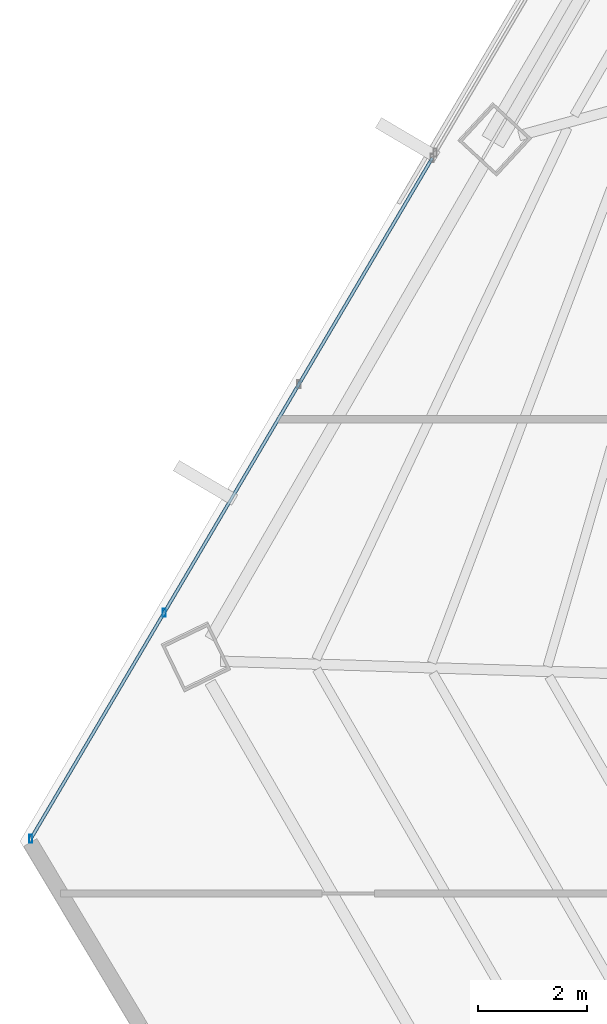
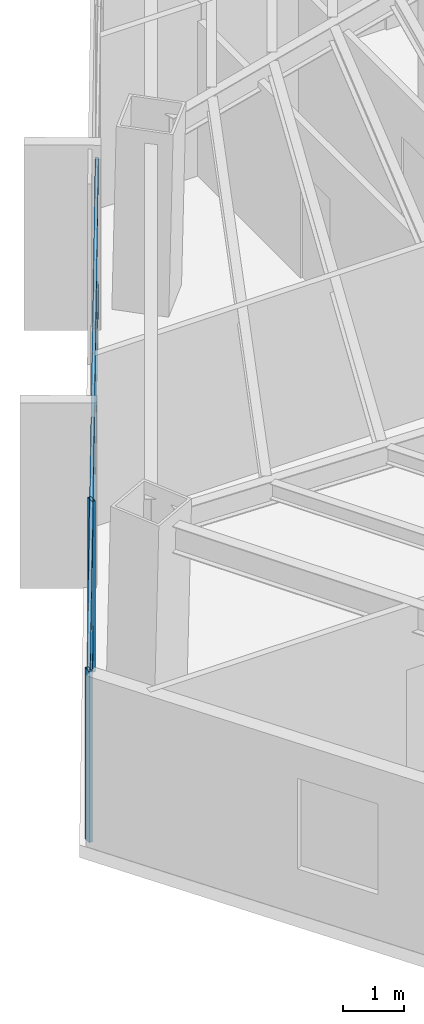
# One storey, part 6 of 41: 4 members, 1 element without a shape of its own.
"""IFC4 building model written with IfcOpenShell, lengths in metres."""

from ifc_helpers import new_model, si_unit, direction, frame, origin, origin_2d, place, context, subcontext, project, spatial, hollow_rectangle, extrude, source, transform, mapped, material, material_profile, profile_set, type_object, type_shapes, element, aggregate, save


model = new_model("IFC4")

# Units and contexts
model_context = context("Model", 3, precision=1e-05, world=origin(), true_north=direction((0.0, 1.0)))
body_context = subcontext(model_context, "Body", "Model", "MODEL_VIEW")
ifc_project = project(units=[si_unit("LENGTHUNIT", "METRE"), si_unit("AREAUNIT", "SQUARE_METRE"), si_unit("VOLUMEUNIT", "CUBIC_METRE"), si_unit("PLANEANGLEUNIT", "RADIAN"), si_unit("MASSUNIT", "GRAM", prefix="KILO")], contexts=[model_context])

# Site, building, storey
site_placement = place(None, origin())
site = spatial("IfcSite", under=ifc_project, at=site_placement, CompositionType="ELEMENT")
building_placement = place(site_placement, origin())
building = spatial("IfcBuilding", under=site, at=building_placement, Name="Caelisora Broadcast Tower", CompositionType="ELEMENT")
storey_placement = place(building_placement, frame((0.0, 0.0, 165.800048828125)))
storey = spatial("IfcBuildingStorey", under=building, at=storey_placement, Name="L43", CompositionType="ELEMENT", Elevation=165.800048828125)

# Curtain wall, members
ifc_material_1 = material(Name="Unitised Aluminium and Low-E Glass Curtain Wall", Category="glass")
curtain_wall_type = type_object("IfcCurtainWallType", Name="CW-Z3", PredefinedType="NOTDEFINED", material=ifc_material_1)
curtain_wall_placement = place(storey_placement, origin())
curtain_wall = element("IfcCurtainWall", 1, at=curtain_wall_placement, inside=storey, type_object=curtain_wall_type, Name="L43 curtain wall CW-Z3", PredefinedType="NOTDEFINED")
ifc_material_2 = material(Name="Aluminium 6063-T6 Anodised Terracotta Bronze", Category="aluminium")
ifc_material_profile_1 = material_profile(ifc_material_2, hollow_rectangle(XDim=0.06005859375, YDim=0.14990234375, WallThickness=0.00341796875, at=origin_2d()), Name="Aluminium 6063-T6 Anodised Terracotta Bronze")
ifc_profile_set_1 = profile_set([ifc_material_profile_1], Name="Aluminium 6063-T6 Anodised Terracotta Bronze")
member_type_1 = type_object("IfcMemberType", Name="CWM-03", PredefinedType="MULLION", material=ifc_profile_set_1)
shared_shape_1 = source(origin(), body_context, "Body", "SweptSolid", [
    extrude(hollow_rectangle(XDim=0.06005859375, YDim=0.14990234375, WallThickness=0.00341796875, at=origin_2d()), origin(), (0.0, 0.0, 1.0), 3.39990234375),
])
type_shapes(member_type_1, [shared_shape_1])
member_1_placement = place(storey_placement, frame((12.46337890625, 14.586181640625, 0.0), z_axis=(0.0, 0.0, 1.0), x_axis=(1.0, 0.0, 0.0)))
member_1 = element("IfcMember", 2, at=member_1_placement, type_object=member_type_1, Name="L43-CW-B09 mullion #0", PredefinedType="MULLION", context=body_context, shape_type="MappedRepresentation", body=[
    mapped(shared_shape_1, transform((0.0, 0.0, 0.0), scale=1.0)),
])
member_2_placement = place(storey_placement, frame((14.918701171875, 18.749755859375, 0.0), z_axis=(0.0, 0.0, 1.0), x_axis=(1.0, 0.0, 0.0)))
member_2 = element("IfcMember", 3, at=member_2_placement, type_object=member_type_1, Name="L43-CW-B09 mullion #1", PredefinedType="MULLION", context=body_context, shape_type="MappedRepresentation", body=[
    mapped(shared_shape_1, transform((0.0, 0.0, 0.0), scale=1.0)),
])
ifc_material_profile_2 = material_profile(ifc_material_2, hollow_rectangle(XDim=0.06005859375, YDim=0.14990234375, WallThickness=0.00341796875, at=origin_2d()), Name="Aluminium 6063-T6 Anodised Terracotta Bronze")
ifc_profile_set_2 = profile_set([ifc_material_profile_2], Name="Aluminium 6063-T6 Anodised Terracotta Bronze")
member_type_2 = type_object("IfcMemberType", Name="CWT-02", PredefinedType="USERDEFINED", material=ifc_profile_set_2)
shared_shape_2 = source(origin(), body_context, "Body", "SweptSolid", [
    extrude(hollow_rectangle(XDim=0.06005859375, YDim=0.14990234375, WallThickness=0.00341796875, at=origin_2d()), origin(), (0.0, 0.0, 1.0), 14.551025390625),
])
type_shapes(member_type_2, [shared_shape_2])
member_3_placement = place(storey_placement, frame((12.46337890625, 14.586181640625, 0.849853515625), z_axis=(0.507974486518, 0.861372115318, 0.0), x_axis=(-0.861372115318, 0.507974486518, 0.0)))
member_3 = element("IfcMember", 4, at=member_3_placement, type_object=member_type_2, Name="L43-CW-B09 transom #1", ObjectType="TRANSOM", PredefinedType="USERDEFINED", context=body_context, shape_type="MappedRepresentation", body=[
    mapped(shared_shape_2, transform((0.0, 0.0, 0.0), scale=1.0)),
])
member_4_placement = place(storey_placement, frame((12.46337890625, 14.586181640625, 3.320068359375), z_axis=(0.507974486518, 0.861372115318, 0.0), x_axis=(-0.861372115318, 0.507974486518, 0.0)))
member_4 = element("IfcMember", 5, at=member_4_placement, type_object=member_type_2, Name="L43-CW-B09 transom #2", ObjectType="TRANSOM", PredefinedType="USERDEFINED", context=body_context, shape_type="MappedRepresentation", body=[
    mapped(shared_shape_2, transform((0.0, 0.0, 0.0), scale=1.0)),
])
aggregate(curtain_wall, [member_1, member_2, member_3, member_4])

save(model, "model.ifc")
